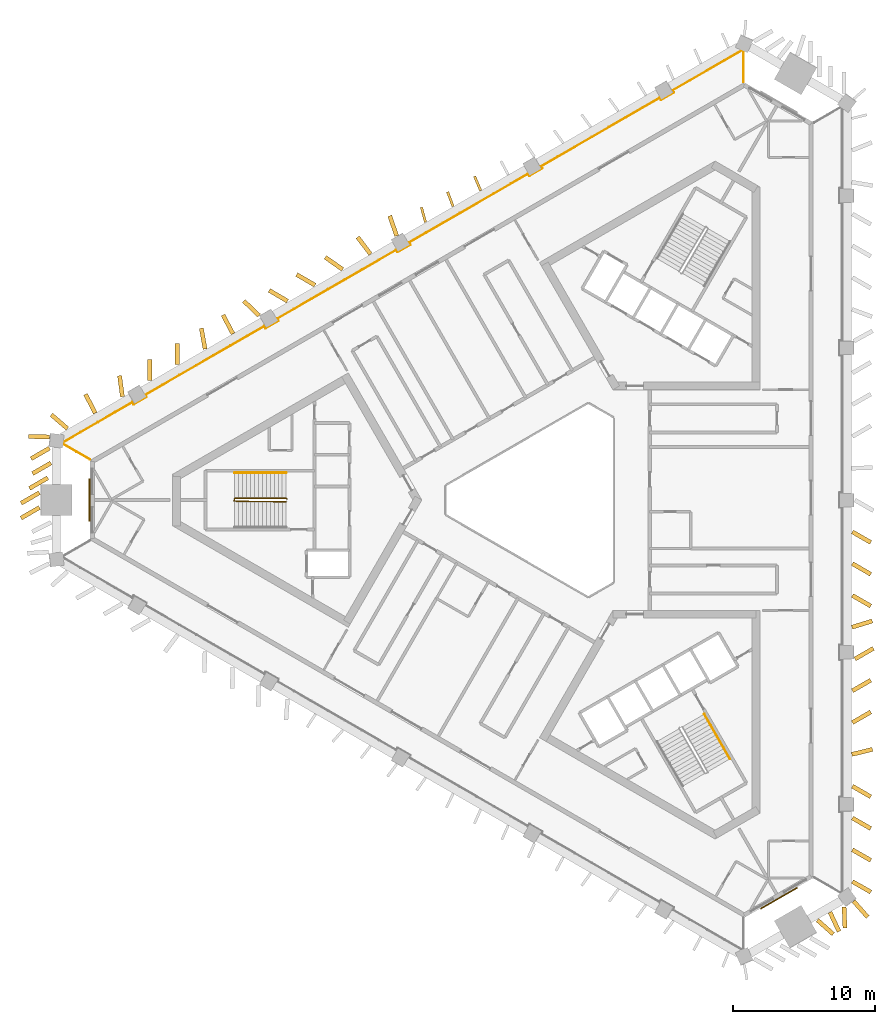
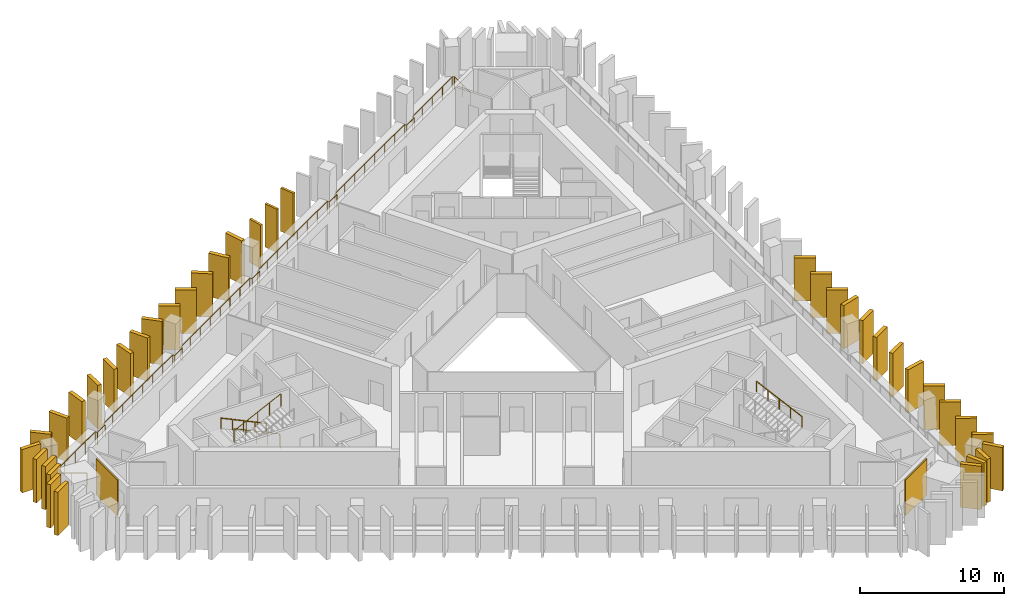
# One storey, part 9 of 10: 38 shading devices, 4 railings, 2 coverings.
"""IFC4 building model written with IfcOpenShell, lengths in metres."""

from ifc_helpers import new_model, si_unit, direction, frame, frame_2d, origin, origin_2d, place, context, subcontext, project, spatial, rectangle, circle, extrude, material, layer, layer_set, type_object, element, save


model = new_model("IFC4")

# Units and contexts
model_context = context("Model", 3, precision=1e-05, world=origin(), true_north=direction((0.0, 1.0)))
body_context = subcontext(model_context, "Body", "Model", "MODEL_VIEW")
ifc_project = project(units=[si_unit("LENGTHUNIT", "METRE"), si_unit("AREAUNIT", "SQUARE_METRE"), si_unit("VOLUMEUNIT", "CUBIC_METRE"), si_unit("PLANEANGLEUNIT", "RADIAN"), si_unit("MASSUNIT", "GRAM", prefix="KILO")], contexts=[model_context])

# Site, building, storey
site_placement = place(None, origin())
site = spatial("IfcSite", under=ifc_project, at=site_placement, CompositionType="ELEMENT")
building_placement = place(site_placement, origin())
building = spatial("IfcBuilding", under=site, at=building_placement, Name="Jabali Bay Hotel Tower and Convention Centre", CompositionType="ELEMENT")
storey_placement = place(building_placement, frame((0.0, 0.0, 178.5)))
storey = spatial("IfcBuildingStorey", under=building, at=storey_placement, Name="L43", CompositionType="ELEMENT", Elevation=178.5)

# Railing
ifc_material_1 = material(Name="Glass", Category="glass")
railing_type_1 = type_object("IfcRailingType", Name="Loggia glass guard 1100", PredefinedType="BALUSTRADE", material=ifc_material_1)
railing_1_placement = place(storey_placement, frame((42.560302734375, 82.865966796875, 0.0)))
element("IfcRailing", 1, at=railing_1_placement, inside=storey, type_object=railing_type_1, Name="Loggia glass guard L43", PredefinedType="BALUSTRADE", context=body_context, shape_type="SweptSolid", body=[
    extrude(circle(Radius=0.02490234375, at=origin_2d()), frame((0.0, 0.0, 1.0751953125), z_axis=(-0.866035418383, 0.499982653806, 0.0), x_axis=(-0.495705232892, -0.858626365323, 0.13052619222)), (0.0, 0.0, 1.0), 2.19287109375),
    extrude(circle(Radius=0.02490234375, at=origin_2d()), frame((-1.899169921875, 1.096435546875, 1.0751953125), z_axis=(0.119984594018, 0.992775753732, 0.0), x_axis=(-0.984282419534, 0.118958109183, 0.13052619222)), (0.0, 0.0, 1.0), 0.126220703125),
    extrude(circle(Radius=0.02490234375, at=origin_2d()), frame((-1.884033203125, 1.2216796875, 1.0751953125), z_axis=(0.866006203791, 0.50003325389, 0.0), x_axis=(-0.495755400085, 0.858597400666, 0.13052619222)), (0.0, 0.0, 1.0), 5.6435546875),
    extrude(circle(Radius=0.02490234375, at=origin_2d()), frame((3.00341796875, 4.043701171875, 1.0751953125), z_axis=(0.500486622847, -0.865744269604, 0.0), x_axis=(0.858337707362, 0.496204890408, 0.13052619222)), (0.0, 0.0, 1.0), 0.175048828125),
    extrude(circle(Radius=0.02490234375, at=origin_2d()), frame((3.091064453125, 3.89208984375, 1.0751953125), z_axis=(0.866030680601, 0.499990860175, 0.0), x_axis=(-0.495713369054, 0.858621668074, 0.13052619222)), (0.0, 0.0, 1.0), 1.0498046875),
    extrude(circle(Radius=0.02490234375, at=origin_2d()), frame((4.000244140625, 4.4169921875, 1.0751953125), z_axis=(-0.499440622861, 0.866348119543, 0.0), x_axis=(-0.858936391282, -0.495167839097, 0.13052619222)), (0.0, 0.0, 1.0), 0.175048828125),
    extrude(circle(Radius=0.02490234375, at=origin_2d()), frame((3.912841796875, 4.568603515625, 1.0751953125), z_axis=(0.866022649559, 0.500004770428, 0.0), x_axis=(-0.495727160303, 0.858613705739, 0.13052619222)), (0.0, 0.0, 1.0), 9.70654296875),
    extrude(circle(Radius=0.02490234375, at=origin_2d()), frame((12.31884765625, 9.421875, 1.0751953125), z_axis=(0.499440622861, -0.866348119543, 0.0), x_axis=(0.858936391282, 0.495167839097, 0.13052619222)), (0.0, 0.0, 1.0), 0.175048828125),
    extrude(circle(Radius=0.02490234375, at=origin_2d()), frame((12.40625, 9.270263671875, 1.0751953125), z_axis=(0.866088799389, 0.499890179513, 0.0), x_axis=(-0.495613549729, 0.858679289647, 0.13052619222)), (0.0, 0.0, 1.0), 1.050048828125),
    extrude(circle(Radius=0.02490234375, at=origin_2d()), frame((13.315673828125, 9.795166015625, 1.0751953125), z_axis=(-0.500486622847, 0.865744269604, 0.0), x_axis=(-0.858337707362, -0.496204890408, 0.13052619222)), (0.0, 0.0, 1.0), 0.175048828125),
    extrude(circle(Radius=0.02490234375, at=origin_2d()), frame((13.22802734375, 9.94677734375, 1.0751953125), z_axis=(0.866022649559, 0.500004770428, 0.0), x_axis=(-0.495727160303, 0.858613705739, 0.13052619222)), (0.0, 0.0, 1.0), 9.70654296875),
    extrude(circle(Radius=0.02490234375, at=origin_2d()), frame((21.634033203125, 14.800048828125, 1.0751953125), z_axis=(0.500486622847, -0.865744269604, 0.0), x_axis=(0.858337707362, 0.496204890408, 0.13052619222)), (0.0, 0.0, 1.0), 0.175048828125),
    extrude(circle(Radius=0.02490234375, at=origin_2d()), frame((21.7216796875, 14.6484375, 1.0751953125), z_axis=(0.866030680601, 0.499990860175, 0.0), x_axis=(-0.495713369054, 0.858621668074, 0.13052619222)), (0.0, 0.0, 1.0), 1.0498046875),
    extrude(circle(Radius=0.02490234375, at=origin_2d()), frame((22.630859375, 15.17333984375, 1.0751953125), z_axis=(-0.499440622861, 0.866348119543, 0.0), x_axis=(-0.858936391282, -0.495167839097, 0.13052619222)), (0.0, 0.0, 1.0), 0.175048828125),
    extrude(circle(Radius=0.02490234375, at=origin_2d()), frame((22.54345703125, 15.324951171875, 1.0751953125), z_axis=(0.866016361131, 0.500015662008, 0.0), x_axis=(-0.495737958704, 0.858607471109, 0.13052619222)), (0.0, 0.0, 1.0), 9.706298828125),
    extrude(circle(Radius=0.02490234375, at=origin_2d()), frame((30.94921875, 20.17822265625, 1.0751953125), z_axis=(0.500486622847, -0.865744269604, 0.0), x_axis=(0.858337707362, 0.496204890408, 0.13052619222)), (0.0, 0.0, 1.0), 0.175048828125),
    extrude(circle(Radius=0.02490234375, at=origin_2d()), frame((31.036865234375, 20.026611328125, 1.0751953125), z_axis=(0.866030680601, 0.499990860175, 0.0), x_axis=(-0.495713369054, 0.858621668074, 0.13052619222)), (0.0, 0.0, 1.0), 1.0498046875),
    extrude(circle(Radius=0.02490234375, at=origin_2d()), frame((31.946044921875, 20.551513671875, 1.0751953125), z_axis=(-0.499440622861, 0.866348119543, 0.0), x_axis=(-0.858936391282, -0.495167839097, 0.13052619222)), (0.0, 0.0, 1.0), 0.175048828125),
    extrude(circle(Radius=0.02490234375, at=origin_2d()), frame((31.858642578125, 20.703125, 1.0751953125), z_axis=(0.866022649559, 0.500004770428, 0.0), x_axis=(-0.495727160303, 0.858613705739, 0.13052619222)), (0.0, 0.0, 1.0), 9.70654296875),
    extrude(circle(Radius=0.02490234375, at=origin_2d()), frame((40.2646484375, 25.556396484375, 1.0751953125), z_axis=(0.499440622861, -0.866348119543, 0.0), x_axis=(0.858936391282, 0.495167839097, 0.13052619222)), (0.0, 0.0, 1.0), 0.175048828125),
    extrude(circle(Radius=0.02490234375, at=origin_2d()), frame((40.35205078125, 25.40478515625, 1.0751953125), z_axis=(0.866088799389, 0.499890179513, 0.0), x_axis=(-0.495613549729, 0.858679289647, 0.13052619222)), (0.0, 0.0, 1.0), 1.050048828125),
    extrude(circle(Radius=0.02490234375, at=origin_2d()), frame((41.261474609375, 25.9296875, 1.0751953125), z_axis=(-0.500486622847, 0.865744269604, 0.0), x_axis=(-0.858337707362, -0.496204890408, 0.13052619222)), (0.0, 0.0, 1.0), 0.175048828125),
    extrude(circle(Radius=0.02490234375, at=origin_2d()), frame((41.173828125, 26.081298828125, 1.0751953125), z_axis=(0.866035750673, 0.499982078236, 0.0), x_axis=(-0.495704662246, 0.85862669477, 0.13052619222)), (0.0, 0.0, 1.0), 5.643798828125),
    extrude(circle(Radius=0.02490234375, at=origin_2d()), frame((46.0615234375, 28.903076171875, 1.0751953125), z_axis=(0.9195450827, -0.39298453008, 0.0), x_axis=(0.389622492947, 0.911678247044, 0.13052619222)), (0.0, 0.0, 1.0), 0.126220703125),
    extrude(circle(Radius=0.02490234375, at=origin_2d()), frame((46.177490234375, 28.853515625, 1.0751953125), z_axis=(0.0, -1.0, 0.0), x_axis=(0.991444861374, 0.0, 0.13052619222)), (0.0, 0.0, 1.0), 2.19287109375),
    extrude(circle(Radius=0.02001953125, at=origin_2d()), origin(), (0.0, 0.0, 1.0), 1.050048828125),
    extrude(circle(Radius=0.02001953125, at=origin_2d()), frame((-0.94970703125, 0.54833984375, 0.0)), (0.0, 0.0, 1.0), 1.050048828125),
    extrude(circle(Radius=0.02001953125, at=origin_2d()), frame((-1.899169921875, 1.096435546875, 0.0)), (0.0, 0.0, 1.0), 1.050048828125),
    extrude(circle(Radius=0.02001953125, at=origin_2d()), frame((-1.884033203125, 1.2216796875, 0.0)), (0.0, 0.0, 1.0), 1.050048828125),
    extrude(circle(Radius=0.02001953125, at=origin_2d()), frame((-0.662109375, 1.92724609375, 0.0)), (0.0, 0.0, 1.0), 1.050048828125),
    extrude(circle(Radius=0.02001953125, at=origin_2d()), frame((0.5595703125, 2.6328125, 0.0)), (0.0, 0.0, 1.0), 1.050048828125),
    extrude(circle(Radius=0.02001953125, at=origin_2d()), frame((1.781494140625, 3.338134765625, 0.0)), (0.0, 0.0, 1.0), 1.050048828125),
    extrude(circle(Radius=0.02001953125, at=origin_2d()), frame((3.00341796875, 4.043701171875, 0.0)), (0.0, 0.0, 1.0), 1.050048828125),
    extrude(circle(Radius=0.02001953125, at=origin_2d()), frame((3.091064453125, 3.89208984375, 0.0)), (0.0, 0.0, 1.0), 1.050048828125),
    extrude(circle(Radius=0.02001953125, at=origin_2d()), frame((4.000244140625, 4.4169921875, 0.0)), (0.0, 0.0, 1.0), 1.050048828125),
    extrude(circle(Radius=0.02001953125, at=origin_2d()), frame((3.912841796875, 4.568603515625, 0.0)), (0.0, 0.0, 1.0), 1.050048828125),
    extrude(circle(Radius=0.02001953125, at=origin_2d()), frame((5.11376953125, 5.261962890625, 0.0)), (0.0, 0.0, 1.0), 1.050048828125),
    extrude(circle(Radius=0.02001953125, at=origin_2d()), frame((6.314453125, 5.955322265625, 0.0)), (0.0, 0.0, 1.0), 1.050048828125),
    extrude(circle(Radius=0.02001953125, at=origin_2d()), frame((7.515380859375, 6.648681640625, 0.0)), (0.0, 0.0, 1.0), 1.050048828125),
    extrude(circle(Radius=0.02001953125, at=origin_2d()), frame((8.71630859375, 7.341796875, 0.0)), (0.0, 0.0, 1.0), 1.050048828125),
    extrude(circle(Radius=0.02001953125, at=origin_2d()), frame((9.917236328125, 8.03515625, 0.0)), (0.0, 0.0, 1.0), 1.050048828125),
    extrude(circle(Radius=0.02001953125, at=origin_2d()), frame((11.117919921875, 8.728515625, 0.0)), (0.0, 0.0, 1.0), 1.050048828125),
    extrude(circle(Radius=0.02001953125, at=origin_2d()), frame((12.31884765625, 9.421875, 0.0)), (0.0, 0.0, 1.0), 1.050048828125),
    extrude(circle(Radius=0.02001953125, at=origin_2d()), frame((12.40625, 9.270263671875, 0.0)), (0.0, 0.0, 1.0), 1.050048828125),
    extrude(circle(Radius=0.02001953125, at=origin_2d()), frame((13.315673828125, 9.795166015625, 0.0)), (0.0, 0.0, 1.0), 1.050048828125),
    extrude(circle(Radius=0.02001953125, at=origin_2d()), frame((13.22802734375, 9.94677734375, 0.0)), (0.0, 0.0, 1.0), 1.050048828125),
    extrude(circle(Radius=0.02001953125, at=origin_2d()), frame((14.428955078125, 10.64013671875, 0.0)), (0.0, 0.0, 1.0), 1.050048828125),
    extrude(circle(Radius=0.02001953125, at=origin_2d()), frame((15.629638671875, 11.33349609375, 0.0)), (0.0, 0.0, 1.0), 1.050048828125),
    extrude(circle(Radius=0.02001953125, at=origin_2d()), frame((16.83056640625, 12.02685546875, 0.0)), (0.0, 0.0, 1.0), 1.050048828125),
    extrude(circle(Radius=0.02001953125, at=origin_2d()), frame((18.031494140625, 12.719970703125, 0.0)), (0.0, 0.0, 1.0), 1.050048828125),
    extrude(circle(Radius=0.02001953125, at=origin_2d()), frame((19.232421875, 13.413330078125, 0.0)), (0.0, 0.0, 1.0), 1.050048828125),
    extrude(circle(Radius=0.02001953125, at=origin_2d()), frame((20.43310546875, 14.106689453125, 0.0)), (0.0, 0.0, 1.0), 1.050048828125),
    extrude(circle(Radius=0.02001953125, at=origin_2d()), frame((21.634033203125, 14.800048828125, 0.0)), (0.0, 0.0, 1.0), 1.050048828125),
    extrude(circle(Radius=0.02001953125, at=origin_2d()), frame((21.7216796875, 14.6484375, 0.0)), (0.0, 0.0, 1.0), 1.050048828125),
    extrude(circle(Radius=0.02001953125, at=origin_2d()), frame((22.630859375, 15.17333984375, 0.0)), (0.0, 0.0, 1.0), 1.050048828125),
    extrude(circle(Radius=0.02001953125, at=origin_2d()), frame((22.54345703125, 15.324951171875, 0.0)), (0.0, 0.0, 1.0), 1.050048828125),
    extrude(circle(Radius=0.02001953125, at=origin_2d()), frame((23.744384765625, 16.018310546875, 0.0)), (0.0, 0.0, 1.0), 1.050048828125),
    extrude(circle(Radius=0.02001953125, at=origin_2d()), frame((24.945068359375, 16.711669921875, 0.0)), (0.0, 0.0, 1.0), 1.050048828125),
    extrude(circle(Radius=0.02001953125, at=origin_2d()), frame((26.14599609375, 17.405029296875, 0.0)), (0.0, 0.0, 1.0), 1.050048828125),
    extrude(circle(Radius=0.02001953125, at=origin_2d()), frame((27.3466796875, 18.09814453125, 0.0)), (0.0, 0.0, 1.0), 1.050048828125),
    extrude(circle(Radius=0.02001953125, at=origin_2d()), frame((28.547607421875, 18.79150390625, 0.0)), (0.0, 0.0, 1.0), 1.050048828125),
    extrude(circle(Radius=0.02001953125, at=origin_2d()), frame((29.748291015625, 19.48486328125, 0.0)), (0.0, 0.0, 1.0), 1.050048828125),
    extrude(circle(Radius=0.02001953125, at=origin_2d()), frame((30.94921875, 20.17822265625, 0.0)), (0.0, 0.0, 1.0), 1.050048828125),
    extrude(circle(Radius=0.02001953125, at=origin_2d()), frame((31.036865234375, 20.026611328125, 0.0)), (0.0, 0.0, 1.0), 1.050048828125),
    extrude(circle(Radius=0.02001953125, at=origin_2d()), frame((31.946044921875, 20.551513671875, 0.0)), (0.0, 0.0, 1.0), 1.050048828125),
    extrude(circle(Radius=0.02001953125, at=origin_2d()), frame((31.858642578125, 20.703125, 0.0)), (0.0, 0.0, 1.0), 1.050048828125),
    extrude(circle(Radius=0.02001953125, at=origin_2d()), frame((33.0595703125, 21.396484375, 0.0)), (0.0, 0.0, 1.0), 1.050048828125),
    extrude(circle(Radius=0.02001953125, at=origin_2d()), frame((34.26025390625, 22.08984375, 0.0)), (0.0, 0.0, 1.0), 1.050048828125),
    extrude(circle(Radius=0.02001953125, at=origin_2d()), frame((35.461181640625, 22.783203125, 0.0)), (0.0, 0.0, 1.0), 1.050048828125),
    extrude(circle(Radius=0.02001953125, at=origin_2d()), frame((36.662109375, 23.476318359375, 0.0)), (0.0, 0.0, 1.0), 1.050048828125),
    extrude(circle(Radius=0.02001953125, at=origin_2d()), frame((37.863037109375, 24.169677734375, 0.0)), (0.0, 0.0, 1.0), 1.050048828125),
    extrude(circle(Radius=0.02001953125, at=origin_2d()), frame((39.063720703125, 24.863037109375, 0.0)), (0.0, 0.0, 1.0), 1.050048828125),
    extrude(circle(Radius=0.02001953125, at=origin_2d()), frame((40.2646484375, 25.556396484375, 0.0)), (0.0, 0.0, 1.0), 1.050048828125),
    extrude(circle(Radius=0.02001953125, at=origin_2d()), frame((40.35205078125, 25.40478515625, 0.0)), (0.0, 0.0, 1.0), 1.050048828125),
    extrude(circle(Radius=0.02001953125, at=origin_2d()), frame((41.261474609375, 25.9296875, 0.0)), (0.0, 0.0, 1.0), 1.050048828125),
    extrude(circle(Radius=0.02001953125, at=origin_2d()), frame((41.173828125, 26.081298828125, 0.0)), (0.0, 0.0, 1.0), 1.050048828125),
    extrude(circle(Radius=0.02001953125, at=origin_2d()), frame((42.395751953125, 26.78662109375, 0.0)), (0.0, 0.0, 1.0), 1.050048828125),
    extrude(circle(Radius=0.02001953125, at=origin_2d()), frame((43.61767578125, 27.4921875, 0.0)), (0.0, 0.0, 1.0), 1.050048828125),
    extrude(circle(Radius=0.02001953125, at=origin_2d()), frame((44.839599609375, 28.19775390625, 0.0)), (0.0, 0.0, 1.0), 1.050048828125),
    extrude(circle(Radius=0.02001953125, at=origin_2d()), frame((46.0615234375, 28.903076171875, 0.0)), (0.0, 0.0, 1.0), 1.050048828125),
    extrude(circle(Radius=0.02001953125, at=origin_2d()), frame((46.177490234375, 28.853515625, 0.0)), (0.0, 0.0, 1.0), 1.050048828125),
    extrude(circle(Radius=0.02001953125, at=origin_2d()), frame((46.177490234375, 27.757080078125, 0.0)), (0.0, 0.0, 1.0), 1.050048828125),
    extrude(circle(Radius=0.02001953125, at=origin_2d()), frame((46.177490234375, 26.66064453125, 0.0)), (0.0, 0.0, 1.0), 1.050048828125),
])

# Shading devices
ifc_material_2 = material(Name="Precast concrete C60", Category="concrete")
ifc_layer_1 = layer(ifc_material_2, 0.179931640625)
ifc_layer_set_1 = layer_set([ifc_layer_1], Name="Precast concrete C60")
shading_device_type_1 = type_object("IfcShadingDeviceType", Name="Precast fin 3680 x 1100", PredefinedType="USERDEFINED", material=ifc_layer_set_1)
for number, where, z_axis, x_axis, name in (
    (2, (70.157470703125, 101.863525390625, 0.010009765625), (0.0, 0.0, 1.0), (-0.388662230333, 0.921380307317, 0.0), "Fin L43 042"),
    (3, (68.210693359375, 100.743408203125, 0.010009765625), (0.0, 0.0, 1.0), (-0.353797640274, 0.935321992544, 0.0), "Fin L43 043"),
    (4, (66.261474609375, 99.627685546875, 0.010009765625), (0.0, 0.0, 1.0), (-0.263474241636, 0.964666431465, 0.0), "Fin L43 044"),
):
    element("IfcShadingDevice", number, at=place(storey_placement, frame(where, z_axis=z_axis, x_axis=x_axis)), inside=storey, type_object=shading_device_type_1, Name=name, ObjectType="FIN", PredefinedType="USERDEFINED", context=body_context, shape_type="SweptSolid", body=[
        extrude(rectangle(XDim=1.099853515625, YDim=0.179931640625, at=frame_2d((0.5498046875, 0.0))), origin(), (0.0, 0.0, 1.0), 3.679931640625),
    ])
ifc_layer_2 = layer(ifc_material_2, 0.300048828125)
ifc_layer_set_2 = layer_set([ifc_layer_2], Name="Precast concrete C60")
shading_device_type_2 = type_object("IfcShadingDeviceType", Name="Precast fin 3680 x 1500", PredefinedType="USERDEFINED", material=ifc_layer_set_2)
shading_device_1_placement = place(storey_placement, frame((96.41845703125, 53.0478515625, 0.010009765625), z_axis=(0.0, 0.0, 1.0), x_axis=(0.869043202276, -0.494736205041, 0.0)))
element("IfcShadingDevice", 5, at=shading_device_1_placement, inside=storey, type_object=shading_device_type_2, Name="Fin L43 000", ObjectType="FIN", PredefinedType="USERDEFINED", context=body_context, shape_type="SweptSolid", body=[
    extrude(rectangle(XDim=1.500244140625, YDim=0.300048828125, at=frame_2d((0.75, 0.0))), origin(), (0.0, 0.0, 1.0), 3.679931640625),
])
for number, where, z_axis, x_axis, name in (
    (6, (96.419189453125, 55.2939453125, 0.010009765625), (0.0, 0.0, 1.0), (0.866756795906, -0.498731046508, 0.0), "Fin L43 001"),
    (7, (96.419189453125, 57.5400390625, 0.010009765625), (0.0, 0.0, 1.0), (0.866212681459, -0.499675485171, 0.0), "Fin L43 002"),
    (8, (96.41943359375, 59.785888671875, 0.010009765625), (0.0, 0.0, 1.0), (0.866101569082, -0.499868054624, 0.0), "Fin L43 003"),
):
    element("IfcShadingDevice", number, at=place(storey_placement, frame(where, z_axis=z_axis, x_axis=x_axis)), inside=storey, type_object=shading_device_type_2, Name=name, ObjectType="FIN", PredefinedType="USERDEFINED", context=body_context, shape_type="SweptSolid", body=[
        extrude(rectangle(XDim=1.5, YDim=0.300048828125, at=frame_2d((0.75, 0.0))), origin(), (0.0, 0.0, 1.0), 3.679931640625),
    ])
shading_device_2_placement = place(storey_placement, frame((96.3798828125, 62.031982421875, 0.010009765625), z_axis=(0.0, 0.0, 1.0), x_axis=(0.971402343127, 0.237439440211, 0.0)))
element("IfcShadingDevice", 9, at=shading_device_2_placement, inside=storey, type_object=shading_device_type_2, Name="Fin L43 004", ObjectType="FIN", PredefinedType="USERDEFINED", context=body_context, shape_type="SweptSolid", body=[
    extrude(rectangle(XDim=1.500244140625, YDim=0.300048828125, at=frame_2d((0.75, 0.0))), origin(), (0.0, 0.0, 1.0), 3.679931640625),
])
shading_device_3_placement = place(storey_placement, frame((96.41943359375, 64.278076171875, 0.010009765625), z_axis=(0.0, 0.0, 1.0), x_axis=(0.866101569082, 0.499868054624, 0.0)))
element("IfcShadingDevice", 10, at=shading_device_3_placement, inside=storey, type_object=shading_device_type_2, Name="Fin L43 005", ObjectType="FIN", PredefinedType="USERDEFINED", context=body_context, shape_type="SweptSolid", body=[
    extrude(rectangle(XDim=1.5, YDim=0.300048828125, at=frame_2d((0.75, 0.0))), origin(), (0.0, 0.0, 1.0), 3.679931640625),
])
shading_device_4_placement = place(storey_placement, frame((96.41943359375, 66.52392578125, 0.010009765625), z_axis=(0.0, 0.0, 1.0), x_axis=(0.86599040064, 0.500060622324, 0.0)))
element("IfcShadingDevice", 11, at=shading_device_4_placement, inside=storey, type_object=shading_device_type_2, Name="Fin L43 006", ObjectType="FIN", PredefinedType="USERDEFINED", context=body_context, shape_type="SweptSolid", body=[
    extrude(rectangle(XDim=1.499755859375, YDim=0.300048828125, at=frame_2d((0.75, 0.0))), origin(), (0.0, 0.0, 1.0), 3.679931640625),
])
shading_device_5_placement = place(storey_placement, frame((96.601806640625, 68.77001953125, 0.010009765625), z_axis=(0.0, 0.0, 1.0), x_axis=(0.866031096941, 0.499990139034, 0.0)))
element("IfcShadingDevice", 12, at=shading_device_5_placement, inside=storey, type_object=shading_device_type_2, Name="Fin L43 007", ObjectType="FIN", PredefinedType="USERDEFINED", context=body_context, shape_type="SweptSolid", body=[
    extrude(rectangle(XDim=1.5, YDim=0.300048828125, at=frame_2d((0.75, 0.0))), origin(), (0.0, 0.0, 1.0), 3.679931640625),
])
shading_device_6_placement = place(storey_placement, frame((96.38818359375, 71.015869140625, 0.010009765625), z_axis=(0.0, 0.0, 1.0), x_axis=(0.956130206843, 0.29294202082, 0.0)))
element("IfcShadingDevice", 13, at=shading_device_6_placement, inside=storey, type_object=shading_device_type_2, Name="Fin L43 008", ObjectType="FIN", PredefinedType="USERDEFINED", context=body_context, shape_type="SweptSolid", body=[
    extrude(rectangle(XDim=1.500244140625, YDim=0.300048828125, at=frame_2d((0.75, 0.0))), origin(), (0.0, 0.0, 1.0), 3.679931640625),
])
for number, where, z_axis, x_axis, name in (
    (14, (96.41943359375, 73.261962890625, 0.010009765625), (0.0, 0.0, 1.0), (0.86599040064, -0.500060622324, 0.0), "Fin L43 009"),
    (15, (96.41943359375, 75.508056640625, 0.010009765625), (0.0, 0.0, 1.0), (0.86599040064, -0.500060622324, 0.0), "Fin L43 010"),
    (16, (96.41943359375, 77.75390625, 0.010009765625), (0.0, 0.0, 1.0), (0.86599040064, -0.500060622324, 0.0), "Fin L43 011"),
):
    element("IfcShadingDevice", number, at=place(storey_placement, frame(where, z_axis=z_axis, x_axis=x_axis)), inside=storey, type_object=shading_device_type_2, Name=name, ObjectType="FIN", PredefinedType="USERDEFINED", context=body_context, shape_type="SweptSolid", body=[
        extrude(rectangle(XDim=1.499755859375, YDim=0.300048828125, at=frame_2d((0.75, 0.0))), origin(), (0.0, 0.0, 1.0), 3.679931640625),
    ])
for number, where, z_axis, x_axis, name in (
    (17, (64.222412109375, 98.66748046875, 0.010009765625), (0.0, 0.0, 1.0), (-0.326803104977, 0.945092445519, 0.0), "Fin L43 045"),
    (18, (62.37353515625, 97.377685546875, 0.010009765625), (0.0, 0.0, 1.0), (-0.603146158508, 0.797630686143, 0.0), "Fin L43 046"),
    (19, (60.406005859375, 96.29345703125, 0.010009765625), (0.0, 0.0, 1.0), (-0.818566091273, 0.574412355558, 0.0), "Fin L43 047"),
    (20, (58.455078125, 95.180419921875, 0.010009765625), (0.0, 0.0, 1.0), (-0.864786666582, 0.502139444081, 0.0), "Fin L43 048"),
    (21, (56.510498046875, 94.056884765625, 0.010009765625), (0.0, 0.0, 1.0), (-0.862619605249, 0.505853157191, 0.0), "Fin L43 049"),
    (22, (54.510986328125, 93.028076171875, 0.010009765625), (0.0, 0.0, 1.0), (-0.723196624185, 0.690642195907, 0.0), "Fin L43 050"),
    (23, (52.654541015625, 91.75146484375, 0.010009765625), (0.0, 0.0, 1.0), (-0.467603529687, 0.883938311775, 0.0), "Fin L43 051"),
    (24, (50.6865234375, 90.66796875, 0.010009765625), (0.0, 0.0, 1.0), (-0.175131505051, 0.984545050233, 0.0), "Fin L43 052"),
    (25, (48.7294921875, 89.565673828125, 0.010009765625), (0.0, 0.0, 1.0), (0.0, 1.0, 0.0), "Fin L43 053"),
    (26, (46.784423828125, 88.442626953125, 0.010009765625), (0.0, 0.0, 1.0), (0.0, 1.0, 0.0), "Fin L43 054"),
):
    element("IfcShadingDevice", number, at=place(storey_placement, frame(where, z_axis=z_axis, x_axis=x_axis)), inside=storey, type_object=shading_device_type_2, Name=name, ObjectType="FIN", PredefinedType="USERDEFINED", context=body_context, shape_type="SweptSolid", body=[
        extrude(rectangle(XDim=1.5, YDim=0.300048828125, at=frame_2d((0.75, 0.0))), origin(), (0.0, 0.0, 1.0), 3.679931640625),
    ])
shading_device_7_placement = place(storey_placement, frame((44.848388671875, 87.3037109375, 0.010009765625), z_axis=(0.0, 0.0, 1.0), x_axis=(-0.135403696793, 0.990790512114, 0.0)))
element("IfcShadingDevice", 27, at=shading_device_7_placement, inside=storey, type_object=shading_device_type_2, Name="Fin L43 055", ObjectType="FIN", PredefinedType="USERDEFINED", context=body_context, shape_type="SweptSolid", body=[
    extrude(rectangle(XDim=1.500244140625, YDim=0.300048828125, at=frame_2d((0.75, 0.0))), origin(), (0.0, 0.0, 1.0), 3.679931640625),
])
for number, where, z_axis, x_axis, name in (
    (28, (42.927978515625, 86.13818359375, 0.010009765625), (0.0, 0.0, 1.0), (-0.455721772318, 0.890122276002, 0.0), "Fin L43 056"),
    (29, (40.9619140625, 85.051513671875, 0.010009765625), (0.0, 0.0, 1.0), (-0.757495999243, 0.652839805106, 0.0), "Fin L43 057"),
    (30, (39.695556640625, 83.669677734375, 0.010009765625), (0.0, 0.0, 1.0), (-0.866031096941, -0.499990139034, 0.0), "Fin L43 058"),
    (31, (39.798583984375, 82.621337890625, 0.010009765625), (0.0, 0.0, 1.0), (-0.866031096941, -0.499990139034, 0.0), "Fin L43 059"),
    (32, (39.579833984375, 81.57275390625, 0.010009765625), (0.0, 0.0, 1.0), (-0.866031096941, -0.499990139034, 0.0), "Fin L43 060"),
    (33, (38.986083984375, 80.524169921875, 0.010009765625), (0.0, 0.0, 1.0), (-0.866031096941, -0.499990139034, 0.0), "Fin L43 061"),
    (34, (38.986083984375, 79.475830078125, 0.010009765625), (0.0, 0.0, 1.0), (-0.866031096941, -0.499990139034, 0.0), "Fin L43 062"),
    (35, (93.948974609375, 50.324951171875, 0.010009765625), (0.0, 0.0, 1.0), (0.748001657905, -0.663696858341, 0.0), "Fin L43 096"),
    (36, (94.83984375, 50.87890625, 0.010009765625), (0.0, 0.0, 1.0), (0.423357670603, -0.905962627674, 0.0), "Fin L43 097"),
    (37, (95.833251953125, 51.255126953125, 0.010009765625), (0.0, 0.0, 1.0), (0.041176970651, -0.999151868881, 0.0), "Fin L43 098"),
    (38, (96.51025390625, 51.660400390625, 0.010009765625), (0.0, 0.0, 1.0), (0.661277056798, -0.750141756038, 0.0), "Fin L43 099"),
):
    element("IfcShadingDevice", number, at=place(storey_placement, frame(where, z_axis=z_axis, x_axis=x_axis)), inside=storey, type_object=shading_device_type_2, Name=name, ObjectType="FIN", PredefinedType="USERDEFINED", context=body_context, shape_type="SweptSolid", body=[
        extrude(rectangle(XDim=1.5, YDim=0.300048828125, at=frame_2d((0.75, 0.0))), origin(), (0.0, 0.0, 1.0), 3.679931640625),
    ])
shading_device_8_placement = place(storey_placement, frame((39.69921875, 84.460205078125, 0.010009765625), z_axis=(0.0, 0.0, 1.0), x_axis=(-0.999786293079, 0.020672884927, 0.0)))
element("IfcShadingDevice", 39, at=shading_device_8_placement, inside=storey, type_object=shading_device_type_2, Name="Fin L43 102", ObjectType="FIN", PredefinedType="USERDEFINED", context=body_context, shape_type="SweptSolid", body=[
    extrude(rectangle(XDim=1.499755859375, YDim=0.300048828125, at=frame_2d((0.75, 0.0))), origin(), (0.0, 0.0, 1.0), 3.679931640625),
])

# Coverings
ifc_material_3 = material(Name="Precast concrete C40/50", Category="concrete")
ifc_layer_3 = layer(ifc_material_3, 0.080078125)
ifc_layer_set_3 = layer_set([ifc_layer_3], Name="Precast concrete C40/50")
covering_type = type_object("IfcCoveringType", Name="Relief panel 3000 x 3050", PredefinedType="CLADDING", material=ifc_layer_set_3)
for number, where, z_axis, x_axis, name in (
    (40, (42.520263671875, 80.0, 0.10009765625), (0.0, 0.0, 1.0), (0.0, 1.0, 0.0), "Relief panel L43"),
    (41, (91.23974609375, 51.871826171875, 0.10009765625), (0.0, 0.0, 1.0), (-0.866025393758, -0.500000017367, 0.0), "Relief panel L43"),
):
    element("IfcCovering", number, at=place(storey_placement, frame(where, z_axis=z_axis, x_axis=x_axis)), inside=storey, type_object=covering_type, Name=name, PredefinedType="CLADDING", context=body_context, shape_type="SweptSolid", body=[
        extrude(rectangle(XDim=3.0, YDim=0.080078125, at=origin_2d()), origin(), (0.0, 0.0, 1.0), 3.050048828125),
    ])

# Railings
ifc_material_4 = material(Name="Steel Q355B", Category="steel")
railing_type_2 = type_object("IfcRailingType", Name="Stair guard 1100", PredefinedType="GUARDRAIL", material=ifc_material_4)
railing_2_placement = place(storey_placement, frame((56.469970703125, 80.074951171875, 0.0)))
element("IfcRailing", 42, at=railing_2_placement, inside=storey, type_object=railing_type_2, Name="L43 ST1 stair guard 1", PredefinedType="GUARDRAIL", context=body_context, shape_type="SweptSolid", body=[
    extrude(circle(Radius=0.02392578125, at=origin_2d()), frame((0.0, 0.0, 1.076171875), z_axis=(-0.333993628408, 0.333993628408, 0.881417331555), x_axis=(-0.707106781187, -0.707106781187, 0.0)), (0.0, 0.0, 1.0), 0.14990234375),
    extrude(circle(Radius=0.02392578125, at=origin_2d()), frame((-0.050048828125, 0.050048828125, 1.2080078125), z_axis=(-0.904327350853, 0.0, 0.426839598092), x_axis=(0.0, -1.0, 0.0)), (0.0, 0.0, 1.0), 4.02490234375),
    extrude(circle(Radius=0.02392578125, at=origin_2d()), frame((-3.68994140625, 0.050048828125, 2.92626953125), z_axis=(-0.242814311512, -0.970072785993, 0.0), x_axis=(0.970072785993, -0.242814311512, 0.0)), (0.0, 0.0, 1.0), 0.2060546875),
    extrude(circle(Radius=0.02392578125, at=origin_2d()), frame((-3.739990234375, -0.14990234375, 2.92626953125), z_axis=(0.893887803671, -0.012124321804, 0.4481267625), x_axis=(0.013562335953, 0.999908027292, 0.0)), (0.0, 0.0, 1.0), 4.1279296875),
    extrude(circle(Radius=0.02099609375, at=origin_2d()), origin(), (0.0, 0.0, 1.0), 1.052001953125),
    extrude(circle(Radius=0.02099609375, at=origin_2d()), frame((-0.050048828125, 0.050048828125, 0.132080078125)), (0.0, 0.0, 1.0), 1.052001953125),
    extrude(circle(Radius=0.02099609375, at=origin_2d()), frame((-0.9599609375, 0.050048828125, 0.5615234375)), (0.0, 0.0, 1.0), 1.052001953125),
    extrude(circle(Radius=0.02099609375, at=origin_2d()), frame((-1.8701171875, 0.050048828125, 0.9912109375)), (0.0, 0.0, 1.0), 1.052001953125),
    extrude(circle(Radius=0.02099609375, at=origin_2d()), frame((-2.780029296875, 0.050048828125, 1.420654296875)), (0.0, 0.0, 1.0), 1.052001953125),
    extrude(circle(Radius=0.02099609375, at=origin_2d()), frame((-3.68994140625, 0.050048828125, 1.85009765625)), (0.0, 0.0, 1.0), 1.052001953125),
    extrude(circle(Radius=0.02099609375, at=origin_2d()), frame((-3.739990234375, -0.14990234375, 1.85009765625)), (0.0, 0.0, 1.0), 1.052001953125),
    extrude(circle(Radius=0.02099609375, at=origin_2d()), frame((-2.8173828125, -0.162353515625, 2.3125)), (0.0, 0.0, 1.0), 1.052001953125),
    extrude(circle(Radius=0.02099609375, at=origin_2d()), frame((-1.89501953125, -0.1748046875, 2.77490234375)), (0.0, 0.0, 1.0), 1.052001953125),
    extrude(circle(Radius=0.02099609375, at=origin_2d()), frame((-0.97265625, -0.1875, 3.237548828125)), (0.0, 0.0, 1.0), 1.052001953125),
    extrude(circle(Radius=0.02099609375, at=origin_2d()), frame((-0.050048828125, -0.199951171875, 3.699951171875)), (0.0, 0.0, 1.0), 1.052001953125),
])
railing_type_3 = type_object("IfcRailingType", Name="Stair handrail 900", PredefinedType="HANDRAIL", material=ifc_material_4)
railing_3_placement = place(storey_placement, frame((56.419921875, 81.925048828125, 0.132080078125)))
element("IfcRailing", 43, at=railing_3_placement, inside=storey, type_object=railing_type_3, Name="L43 ST1 stair handrail 1", PredefinedType="HANDRAIL", context=body_context, shape_type="SweptSolid", body=[
    extrude(circle(Radius=0.02392578125, at=origin_2d()), frame((0.0, 0.0, 0.8759765625), z_axis=(-0.904327350853, 0.0, 0.426839598092), x_axis=(0.0, -1.0, 0.0)), (0.0, 0.0, 1.0), 4.02490234375),
    extrude(circle(Radius=0.02099609375, at=origin_2d()), origin(), (0.0, 0.0, 1.0), 0.851806640625),
    extrude(circle(Radius=0.02099609375, at=origin_2d()), frame((-0.909912109375, 0.0, 0.429443359375)), (0.0, 0.0, 1.0), 0.851806640625),
    extrude(circle(Radius=0.02099609375, at=origin_2d()), frame((-1.81982421875, 0.0, 0.85888671875)), (0.0, 0.0, 1.0), 0.851806640625),
    extrude(circle(Radius=0.02099609375, at=origin_2d()), frame((-2.72998046875, 0.0, 1.28857421875)), (0.0, 0.0, 1.0), 0.851806640625),
    extrude(circle(Radius=0.02099609375, at=origin_2d()), frame((-3.639892578125, 0.0, 1.718017578125)), (0.0, 0.0, 1.0), 0.851806640625),
])
railing_4_placement = place(storey_placement, frame((87.777099609375, 61.719482421875, 1.982177734375)))
element("IfcRailing", 44, at=railing_4_placement, inside=storey, type_object=railing_type_3, Name="L43 ST3 stair handrail 2", PredefinedType="HANDRAIL", context=body_context, shape_type="SweptSolid", body=[
    extrude(circle(Radius=0.02392578125, at=origin_2d()), frame((0.0, 0.0, 0.8759765625), z_axis=(-0.452190331055, 0.783190014029, 0.426775475427), x_axis=(-0.866018046521, -0.500012742938, 0.0)), (0.0, 0.0, 1.0), 4.02490234375),
    extrude(circle(Radius=0.02099609375, at=origin_2d()), origin(), (0.0, 0.0, 1.0), 0.851806640625),
    extrude(circle(Radius=0.02099609375, at=origin_2d()), frame((-0.455078125, 0.7880859375, 0.429443359375)), (0.0, 0.0, 1.0), 0.851806640625),
    extrude(circle(Radius=0.02099609375, at=origin_2d()), frame((-0.91015625, 1.576171875, 0.85888671875)), (0.0, 0.0, 1.0), 0.851806640625),
    extrude(circle(Radius=0.02099609375, at=origin_2d()), frame((-1.364990234375, 2.3642578125, 1.288330078125)), (0.0, 0.0, 1.0), 0.851806640625),
    extrude(circle(Radius=0.02099609375, at=origin_2d()), frame((-1.820068359375, 3.15234375, 1.7177734375)), (0.0, 0.0, 1.0), 0.851806640625),
])

save(model, "model.ifc")
